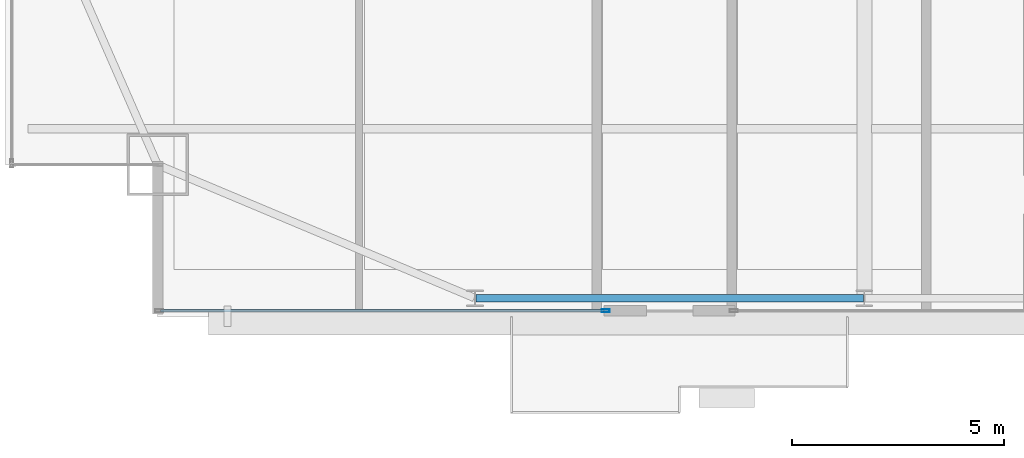
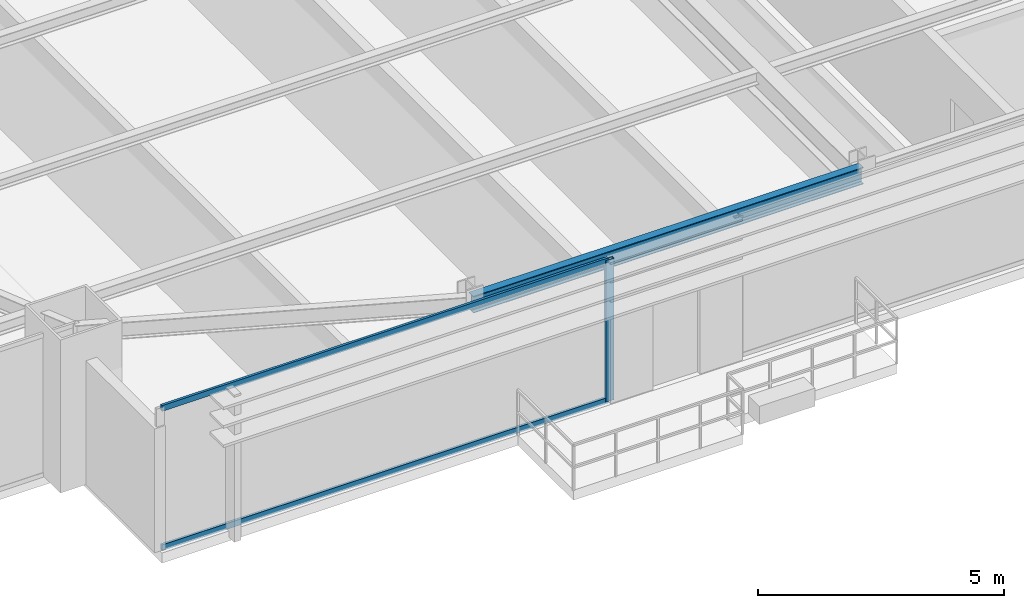
# One storey, part 4 of 31: 3 members, 1 beam, 1 element without a shape of its own.
"""IFC4 building model written with IfcOpenShell, lengths in metres."""

from ifc_helpers import new_model, si_unit, direction, frame, origin, origin_2d, place, context, subcontext, project, spatial, hollow_rectangle, i_section, extrude, source, transform, mapped, material, layer, layer_set, material_profile, profile_set, type_object, type_shapes, element, aggregate, save


model = new_model("IFC4")

# Units and contexts
model_context = context("Model", 3, precision=1e-05, world=origin(), true_north=direction((0.0, 1.0)))
body_context = subcontext(model_context, "Body", "Model", "MODEL_VIEW")
ifc_project = project(units=[si_unit("LENGTHUNIT", "METRE"), si_unit("AREAUNIT", "SQUARE_METRE"), si_unit("VOLUMEUNIT", "CUBIC_METRE"), si_unit("PLANEANGLEUNIT", "RADIAN"), si_unit("MASSUNIT", "GRAM", prefix="KILO")], contexts=[model_context])

# Site, building, storey
site_placement = place(None, origin())
site = spatial("IfcSite", under=ifc_project, at=site_placement, CompositionType="ELEMENT")
building_placement = place(site_placement, origin())
building = spatial("IfcBuilding", under=site, at=building_placement, Name="Varnel Quay Broadcast Tower", CompositionType="ELEMENT")
storey_placement = place(building_placement, frame((0.0, 0.0, 94.60009765625)))
storey = spatial("IfcBuildingStorey", under=building, at=storey_placement, Name="L22", CompositionType="ELEMENT", Elevation=94.60009765625)

# Beam
ifc_material_1 = material(Name="Structural Steel CSA G40.21 350W", Category="steel")
ifc_material_profile_1 = material_profile(ifc_material_1, i_section(OverallWidth=0.180908203125, OverallDepth=0.4169921875, WebThickness=0.010986328125, FlangeThickness=0.018310546875, FilletRadius=0.011962890625, at=origin_2d()), Name="W410X85")
ifc_profile_set_1 = profile_set([ifc_material_profile_1], Name="Structural Steel CSA G40.21 350W")
beam_type = type_object("IfcBeamType", Name="Beam_W410X85", PredefinedType="SPANDREL", material=ifc_profile_set_1)
shared_shape_1 = source(origin(), body_context, "Body", "SweptSolid", [
    extrude(i_section(OverallWidth=0.180908203125, OverallDepth=0.4169921875, WebThickness=0.010986328125, FlangeThickness=0.018310546875, FilletRadius=0.011962890625, at=origin_2d()), origin(), (0.0, 0.0, 1.0), 9.159912109375),
])
type_shapes(beam_type, [shared_shape_1])
beam_placement = place(storey_placement, frame((15.6201171875, 4.64990234375, 3.3115234375), z_axis=(1.0, 0.0, 0.0), x_axis=(0.0, 1.0, 0.0)))
element("IfcBeam", 1, at=beam_placement, inside=storey, type_object=beam_type, Name="L22 South Spandrel TC-S1-TC-S2", PredefinedType="SPANDREL", context=body_context, shape_type="MappedRepresentation", body=[
    mapped(shared_shape_1, transform((0.0, 0.0, 0.0), x_axis=(1.0, 0.0, 0.0), y_axis=(0.0, 1.0, 0.0), z_axis=(0.0, 0.0, 1.0), scale=1.0)),
])

# Curtain wall, members
ifc_material_2 = material(Name="Anodised Bronze Aluminium 6063-T6", Category="aluminium")
ifc_layer = layer(ifc_material_2, 0.18994140625, Name="Anodised Bronze Aluminium 6063-T6")
ifc_layer_set = layer_set([ifc_layer], Name="Anodised Bronze Aluminium 6063-T6")
curtain_wall_type = type_object("IfcCurtainWallType", Name="CW_LowerTower", PredefinedType="NOTDEFINED", material=ifc_layer_set)
curtain_wall_placement = place(storey_placement, origin())
curtain_wall = element("IfcCurtainWall", 2, at=curtain_wall_placement, inside=storey, type_object=curtain_wall_type, Name="L22 South Unitised Curtain Wall 1", PredefinedType="NOTDEFINED")
ifc_material_profile_2 = material_profile(ifc_material_2, hollow_rectangle(XDim=0.070068359375, YDim=0.18994140625, WallThickness=0.00390625, at=origin_2d()), Name="ALU70X190X4")
ifc_profile_set_2 = profile_set([ifc_material_profile_2], Name="Anodised Bronze Aluminium 6063-T6")
member_type_1 = type_object("IfcMemberType", Name="Mull_CWS-02", PredefinedType="MULLION", material=ifc_profile_set_2)
shared_shape_2 = source(origin(), body_context, "Body", "SweptSolid", [
    extrude(hollow_rectangle(XDim=0.070068359375, YDim=0.18994140625, WallThickness=0.00390625, at=origin_2d()), origin(), (0.0, 0.0, 1.0), 3.52001953125),
])
type_shapes(member_type_1, [shared_shape_2])
member_1_placement = place(storey_placement, frame((18.68505859375, 4.35009765625, 0.0), z_axis=(0.0, 0.0, 1.0), x_axis=(0.0, 1.0, 0.0)))
member_1 = element("IfcMember", 3, at=member_1_placement, type_object=member_type_1, Name="CWS-02 mullion 2", PredefinedType="MULLION", context=body_context, shape_type="MappedRepresentation", body=[
    mapped(shared_shape_2, transform((0.0, 0.0, 0.0), x_axis=(1.0, 0.0, 0.0), y_axis=(0.0, 1.0, 0.0), z_axis=(0.0, 0.0, 1.0), scale=1.0)),
])
ifc_material_profile_3 = material_profile(ifc_material_2, hollow_rectangle(XDim=0.06005859375, YDim=0.14501953125, WallThickness=0.00341796875, at=origin_2d()), Name="ALU60X145X3.5")
ifc_profile_set_3 = profile_set([ifc_material_profile_3], Name="Anodised Bronze Aluminium 6063-T6")
member_type_2 = type_object("IfcMemberType", Name="Tran_CWS-02", PredefinedType="USERDEFINED", material=ifc_profile_set_3)
shared_shape_3 = source(origin(), body_context, "Body", "SweptSolid", [
    extrude(hollow_rectangle(XDim=0.06005859375, YDim=0.14501953125, WallThickness=0.00341796875, at=origin_2d()), origin(), (0.0, 0.0, 1.0), 10.47998046875),
])
type_shapes(member_type_2, [shared_shape_3])
member_2_placement = place(storey_placement, frame((8.169921875, 4.35009765625, 0.02978515625), z_axis=(1.0, 0.0, 0.0), x_axis=(0.0, 1.0, 0.0)))
member_2 = element("IfcMember", 4, at=member_2_placement, type_object=member_type_2, Name="CWS-02 transom 1.1", ObjectType="TRANSOM", PredefinedType="USERDEFINED", context=body_context, shape_type="MappedRepresentation", body=[
    mapped(shared_shape_3, transform((0.0, 0.0, 0.0), x_axis=(1.0, 0.0, 0.0), y_axis=(0.0, 1.0, 0.0), z_axis=(0.0, 0.0, 1.0), scale=1.0)),
])
member_3_placement = place(storey_placement, frame((8.169921875, 4.35009765625, 3.489990234375), z_axis=(1.0, 0.0, 0.0), x_axis=(0.0, 1.0, 0.0)))
member_3 = element("IfcMember", 5, at=member_3_placement, type_object=member_type_2, Name="CWS-02 transom 1.2", ObjectType="TRANSOM", PredefinedType="USERDEFINED", context=body_context, shape_type="MappedRepresentation", body=[
    mapped(shared_shape_3, transform((0.0, 0.0, 0.0), x_axis=(1.0, 0.0, 0.0), y_axis=(0.0, 1.0, 0.0), z_axis=(0.0, 0.0, 1.0), scale=1.0)),
])
aggregate(curtain_wall, [member_1, member_2, member_3])

save(model, "model.ifc")
